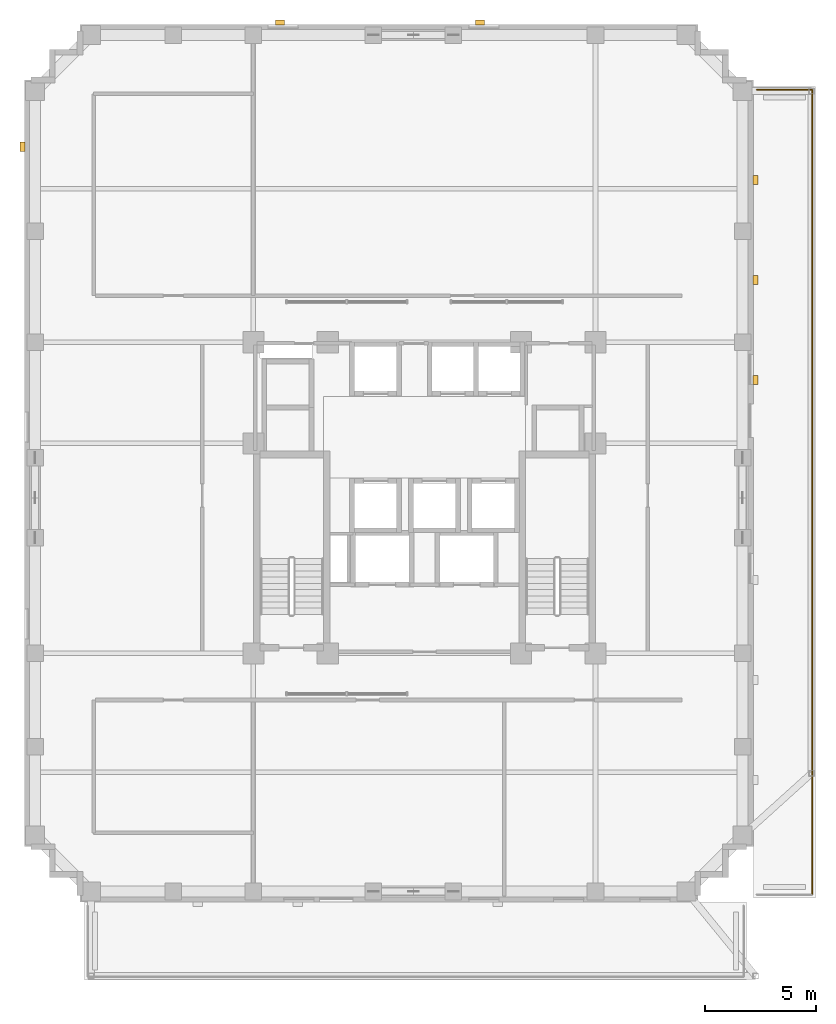
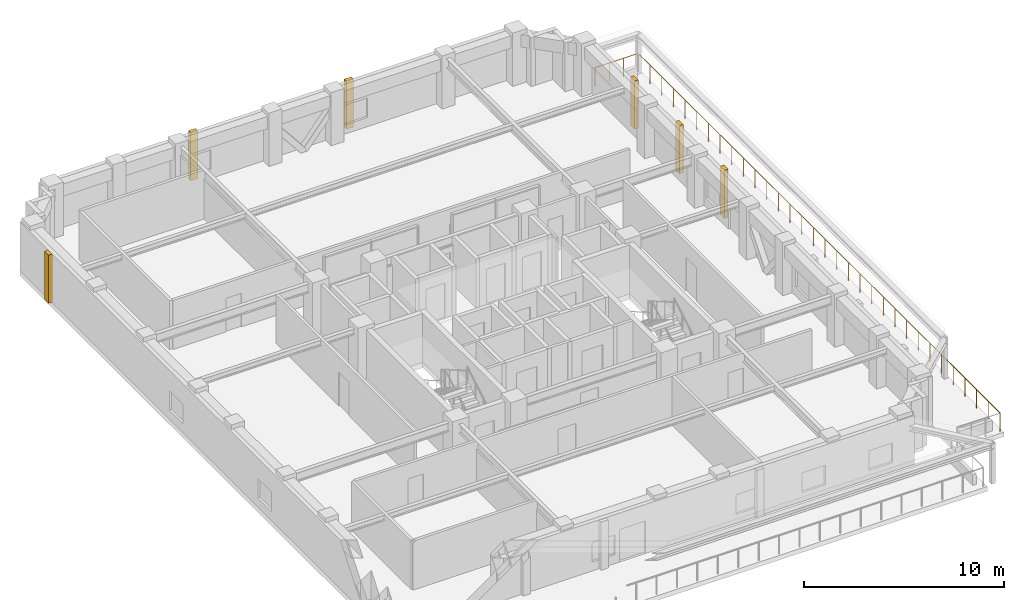
# One storey, part 15 of 15: 6 coverings, 2 railings.
"""IFC4 building model written with IfcOpenShell, lengths in metres."""

from ifc_helpers import new_model, si_unit, derived_unit, direction, frame, origin, origin_2d, place, context, subcontext, project, spatial, rectangle, circle, extrude, material, layer, layer_set, type_object, element, save


model = new_model("IFC4")

# Units and contexts
model_context = context("Model", 3, precision=1e-05, world=origin(), true_north=direction((0.0, 1.0)))
body_context = subcontext(model_context, "Body", "Model", "MODEL_VIEW")
ifc_project = project(units=[si_unit("LENGTHUNIT", "METRE"), si_unit("AREAUNIT", "SQUARE_METRE"), si_unit("VOLUMEUNIT", "CUBIC_METRE"), si_unit("PLANEANGLEUNIT", "RADIAN"), si_unit("MASSUNIT", "GRAM", prefix="KILO"), derived_unit("THERMALTRANSMITTANCEUNIT", [(si_unit("MASSUNIT", "GRAM", prefix="KILO"), 1), (si_unit("TIMEUNIT", "SECOND"), -3), (si_unit("THERMODYNAMICTEMPERATUREUNIT", "KELVIN"), -1)])], contexts=[model_context])

# Site, building, storey
site_placement = place(None, origin())
site = spatial("IfcSite", under=ifc_project, at=site_placement, CompositionType="ELEMENT")
building_placement = place(site_placement, origin())
building = spatial("IfcBuilding", under=site, at=building_placement, Name="Korrvale Station Residences", CompositionType="ELEMENT")
storey_placement = place(building_placement, frame((0.0, 0.0, 124.39990234375)))
storey = spatial("IfcBuildingStorey", under=building, at=storey_placement, Name="L35", CompositionType="ELEMENT", Elevation=124.39990234375)

# Coverings
ifc_material_1 = material(Name="Architectural precast concrete C45/55", Category="concrete")
ifc_layer = layer(ifc_material_1, 0.219970703125, Name="Architectural precast concrete C45/55")
ifc_layer_set = layer_set([ifc_layer], Name="Architectural precast concrete C45/55")
covering_type = type_object("IfcCoveringType", Name="COV-PIER-400", PredefinedType="CLADDING", material=ifc_layer_set)
for number, where, z_axis, x_axis, name in (
    (1, (19.0, 43.389892578125, 0.025146484375), (0.0, 0.0, 1.0), (1.0, 0.0, 0.0), "L35 Architectural Precast Facade Pier 04"),
    (2, (28.0, 43.389892578125, 0.025146484375), (0.0, 0.0, 1.0), (1.0, 0.0, 0.0), "L35 Architectural Precast Facade Pier 05"),
    (3, (7.409912109375, 37.800048828125, 0.025146484375), (0.0, 0.0, 1.0), (0.0, 1.0, 0.0), "L35 Architectural Precast Facade Pier 06"),
    (4, (40.389892578125, 36.300048828125, 0.025146484375), (0.0, 0.0, 1.0), (0.0, 1.0, 0.0), "L35 Architectural Precast Facade Pier 07"),
    (5, (40.389892578125, 31.800048828125, 0.025146484375), (0.0, 0.0, 1.0), (0.0, 1.0, 0.0), "L35 Architectural Precast Facade Pier 08"),
    (6, (40.389892578125, 27.300048828125, 0.025146484375), (0.0, 0.0, 1.0), (0.0, 1.0, 0.0), "L35 Architectural Precast Facade Pier 09"),
):
    element("IfcCovering", number, at=place(storey_placement, frame(where, z_axis=z_axis, x_axis=x_axis)), inside=storey, type_object=covering_type, Name=name, PredefinedType="CLADDING", context=body_context, shape_type="SweptSolid", body=[
        extrude(rectangle(XDim=0.419921875, YDim=0.219970703125, at=origin_2d()), origin(), (0.0, 0.0, 1.0), 2.93994140625),
    ])

# Railings
ifc_material_2 = material(Name="Laminated safety glass and stainless steel balustrade", Category="steel")
railing_type = type_object("IfcRailingType", Name="RLG-TER-1150", PredefinedType="GUARDRAIL", material=ifc_material_2)
railing_1_placement = place(storey_placement, frame((40.4599609375, 40.360107421875, 0.0)))
element("IfcRailing", 7, at=railing_1_placement, inside=storey, type_object=railing_type, Name="L35 Setback Terrace Perimeter Guard TER-L35-E-N", PredefinedType="GUARDRAIL", context=body_context, shape_type="SweptSolid", body=[
    extrude(circle(Radius=0.02392578125, at=origin_2d()), frame((0.0, 0.0, 1.1259765625), z_axis=(1.0, 0.0, 0.0), x_axis=(0.0, 1.0, 0.0)), (0.0, 0.0, 1.0), 2.47998046875),
    extrude(circle(Radius=0.02099609375, at=origin_2d()), origin(), (0.0, 0.0, 1.0), 1.101806640625),
    extrude(circle(Radius=0.02099609375, at=origin_2d()), frame((0.82666015625, 0.0, 0.0)), (0.0, 0.0, 1.0), 1.101806640625),
    extrude(circle(Radius=0.02099609375, at=origin_2d()), frame((1.6533203125, 0.0, 0.0)), (0.0, 0.0, 1.0), 1.101806640625),
    extrude(circle(Radius=0.02099609375, at=origin_2d()), frame((2.47998046875, 0.0, 0.0)), (0.0, 0.0, 1.0), 1.101806640625),
])
railing_2_placement = place(storey_placement, frame((42.9599609375, 4.159912109375, 0.0)))
element("IfcRailing", 8, at=railing_2_placement, inside=storey, type_object=railing_type, Name="L35 Setback Terrace Perimeter Guard TER-L35-E-E", PredefinedType="GUARDRAIL", context=body_context, shape_type="SweptSolid", body=[
    extrude(circle(Radius=0.02392578125, at=origin_2d()), frame((0.0, 0.0, 1.1259765625), z_axis=(0.0, 1.0, 0.0), x_axis=(-1.0, 0.0, 0.0)), (0.0, 0.0, 1.0), 36.18017578125),
    extrude(circle(Radius=0.02099609375, at=origin_2d()), origin(), (0.0, 0.0, 1.0), 1.101806640625),
    extrude(circle(Radius=0.02099609375, at=origin_2d()), frame((0.0, 1.1669921875, 0.0)), (0.0, 0.0, 1.0), 1.101806640625),
    extrude(circle(Radius=0.02099609375, at=origin_2d()), frame((0.0, 2.334228515625, 0.0)), (0.0, 0.0, 1.0), 1.101806640625),
    extrude(circle(Radius=0.02099609375, at=origin_2d()), frame((0.0, 3.501220703125, 0.0)), (0.0, 0.0, 1.0), 1.101806640625),
    extrude(circle(Radius=0.02099609375, at=origin_2d()), frame((0.0, 4.66845703125, 0.0)), (0.0, 0.0, 1.0), 1.101806640625),
    extrude(circle(Radius=0.02099609375, at=origin_2d()), frame((0.0, 5.83544921875, 0.0)), (0.0, 0.0, 1.0), 1.101806640625),
    extrude(circle(Radius=0.02099609375, at=origin_2d()), frame((0.0, 7.002685546875, 0.0)), (0.0, 0.0, 1.0), 1.101806640625),
    extrude(circle(Radius=0.02099609375, at=origin_2d()), frame((0.0, 8.169677734375, 0.0)), (0.0, 0.0, 1.0), 1.101806640625),
    extrude(circle(Radius=0.02099609375, at=origin_2d()), frame((0.0, 9.3369140625, 0.0)), (0.0, 0.0, 1.0), 1.101806640625),
    extrude(circle(Radius=0.02099609375, at=origin_2d()), frame((0.0, 10.50390625, 0.0)), (0.0, 0.0, 1.0), 1.101806640625),
    extrude(circle(Radius=0.02099609375, at=origin_2d()), frame((0.0, 11.671142578125, 0.0)), (0.0, 0.0, 1.0), 1.101806640625),
    extrude(circle(Radius=0.02099609375, at=origin_2d()), frame((0.0, 12.838134765625, 0.0)), (0.0, 0.0, 1.0), 1.101806640625),
    extrude(circle(Radius=0.02099609375, at=origin_2d()), frame((0.0, 14.005126953125, 0.0)), (0.0, 0.0, 1.0), 1.101806640625),
    extrude(circle(Radius=0.02099609375, at=origin_2d()), frame((0.0, 15.17236328125, 0.0)), (0.0, 0.0, 1.0), 1.101806640625),
    extrude(circle(Radius=0.02099609375, at=origin_2d()), frame((0.0, 16.33935546875, 0.0)), (0.0, 0.0, 1.0), 1.101806640625),
    extrude(circle(Radius=0.02099609375, at=origin_2d()), frame((0.0, 17.506591796875, 0.0)), (0.0, 0.0, 1.0), 1.101806640625),
    extrude(circle(Radius=0.02099609375, at=origin_2d()), frame((0.0, 18.673583984375, 0.0)), (0.0, 0.0, 1.0), 1.101806640625),
    extrude(circle(Radius=0.02099609375, at=origin_2d()), frame((0.0, 19.8408203125, 0.0)), (0.0, 0.0, 1.0), 1.101806640625),
    extrude(circle(Radius=0.02099609375, at=origin_2d()), frame((0.0, 21.0078125, 0.0)), (0.0, 0.0, 1.0), 1.101806640625),
    extrude(circle(Radius=0.02099609375, at=origin_2d()), frame((0.0, 22.175048828125, 0.0)), (0.0, 0.0, 1.0), 1.101806640625),
    extrude(circle(Radius=0.02099609375, at=origin_2d()), frame((0.0, 23.342041015625, 0.0)), (0.0, 0.0, 1.0), 1.101806640625),
    extrude(circle(Radius=0.02099609375, at=origin_2d()), frame((0.0, 24.509033203125, 0.0)), (0.0, 0.0, 1.0), 1.101806640625),
    extrude(circle(Radius=0.02099609375, at=origin_2d()), frame((0.0, 25.67626953125, 0.0)), (0.0, 0.0, 1.0), 1.101806640625),
    extrude(circle(Radius=0.02099609375, at=origin_2d()), frame((0.0, 26.84326171875, 0.0)), (0.0, 0.0, 1.0), 1.101806640625),
    extrude(circle(Radius=0.02099609375, at=origin_2d()), frame((0.0, 28.010498046875, 0.0)), (0.0, 0.0, 1.0), 1.101806640625),
    extrude(circle(Radius=0.02099609375, at=origin_2d()), frame((0.0, 29.177490234375, 0.0)), (0.0, 0.0, 1.0), 1.101806640625),
    extrude(circle(Radius=0.02099609375, at=origin_2d()), frame((0.0, 30.3447265625, 0.0)), (0.0, 0.0, 1.0), 1.101806640625),
    extrude(circle(Radius=0.02099609375, at=origin_2d()), frame((0.0, 31.51171875, 0.0)), (0.0, 0.0, 1.0), 1.101806640625),
    extrude(circle(Radius=0.02099609375, at=origin_2d()), frame((0.0, 32.678955078125, 0.0)), (0.0, 0.0, 1.0), 1.101806640625),
    extrude(circle(Radius=0.02099609375, at=origin_2d()), frame((0.0, 33.845947265625, 0.0)), (0.0, 0.0, 1.0), 1.101806640625),
    extrude(circle(Radius=0.02099609375, at=origin_2d()), frame((0.0, 35.01318359375, 0.0)), (0.0, 0.0, 1.0), 1.101806640625),
    extrude(circle(Radius=0.02099609375, at=origin_2d()), frame((0.0, 36.18017578125, 0.0)), (0.0, 0.0, 1.0), 1.101806640625),
])

save(model, "model.ifc")
